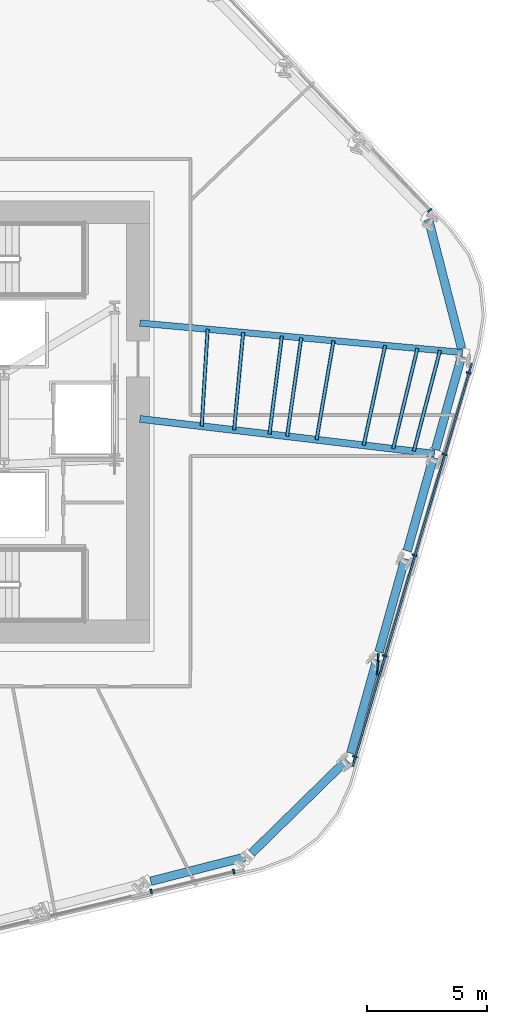
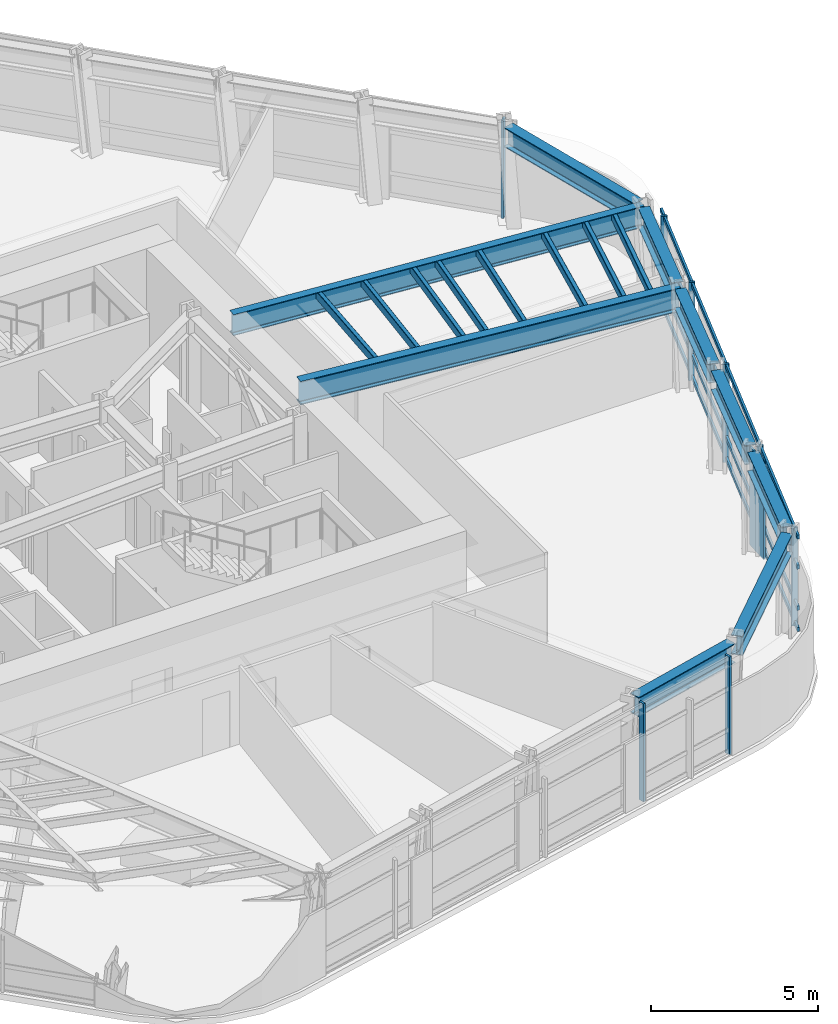
# One storey, part 5 of 17: 21 members, 9 beams, 3 elements without a shape of their own.
"""IFC4 building model written with IfcOpenShell, lengths in metres."""

from ifc_helpers import new_model, si_unit, direction, frame, origin, origin_2d, place, context, subcontext, project, spatial, rectangle, hollow_rectangle, i_section, extrude, material, layer, layer_set, material_profile, profile_set, type_object, element, aggregate, save


model = new_model("IFC4")

# Units and contexts
model_context = context("Model", 3, precision=1e-05, world=origin(), true_north=direction((0.0, 1.0)))
body_context = subcontext(model_context, "Body", "Model", "MODEL_VIEW")
ifc_project = project(units=[si_unit("LENGTHUNIT", "METRE"), si_unit("AREAUNIT", "SQUARE_METRE"), si_unit("VOLUMEUNIT", "CUBIC_METRE"), si_unit("PLANEANGLEUNIT", "RADIAN"), si_unit("MASSUNIT", "GRAM", prefix="KILO")], contexts=[model_context])

# Site, building, storey
site_placement = place(None, origin())
site = spatial("IfcSite", under=ifc_project, at=site_placement, CompositionType="ELEMENT")
building_placement = place(site_placement, origin())
building = spatial("IfcBuilding", under=site, at=building_placement, Name="Valkerne Bourse Tower", CompositionType="ELEMENT")
storey_placement = place(building_placement, frame((0.0, 0.0, 82.0)))
storey = spatial("IfcBuildingStorey", under=building, at=storey_placement, Name="L20", CompositionType="ELEMENT", Elevation=82.0)

# Beams
ifc_material_1 = material(Name="Steel ASTM A992", Category="steel")
ifc_material_profile_1 = material_profile(ifc_material_1, i_section(OverallWidth=0.358154296875, OverallDepth=0.7060546875, WebThickness=0.018310546875, FlangeThickness=0.0302734375, FilletRadius=0.02294921875, at=origin_2d()), Name="W27X178")
ifc_profile_set_1 = profile_set([ifc_material_profile_1], Name="Steel ASTM A992")
beam_type_1 = type_object("IfcBeamType", Name="BM-W27X178", PredefinedType="SPANDREL", material=ifc_profile_set_1)
beam_1_placement = place(storey_placement, frame((56.454345703125, 7.70703125, 3.22705078125), z_axis=(0.968584837782, 0.248683356941, 0.0), x_axis=(-0.248683356941, 0.968584837782, 0.0)))
element("IfcBeam", 1, at=beam_1_placement, inside=storey, type_object=beam_type_1, Name="L20 Hexagonal Spandrel Ring Beam 23", PredefinedType="SPANDREL", context=body_context, shape_type="SweptSolid", body=[
    extrude(i_section(OverallWidth=0.358154296875, OverallDepth=0.7060546875, WebThickness=0.018310546875, FlangeThickness=0.0302734375, FilletRadius=0.02294921875, at=origin_2d()), origin(), (0.0, 0.0, 1.0), 4.042724609375),
])
beam_2_placement = place(storey_placement, frame((60.656494140625, 8.873779296875, 3.22705078125), z_axis=(0.714461076238, 0.699675189313, 0.0), x_axis=(-0.699675189313, 0.714461076238, 0.0)))
element("IfcBeam", 2, at=beam_2_placement, inside=storey, type_object=beam_type_1, Name="L20 Hexagonal Spandrel Ring Beam 24", PredefinedType="SPANDREL", context=body_context, shape_type="SweptSolid", body=[
    extrude(i_section(OverallWidth=0.358154296875, OverallDepth=0.7060546875, WebThickness=0.018310546875, FlangeThickness=0.0302734375, FilletRadius=0.02294921875, at=origin_2d()), origin(), (0.0, 0.0, 1.0), 5.564453125),
])
for number, where, z_axis, x_axis, name in (
    (3, (64.79931640625, 13.0498046875, 3.22705078125), (0.268901893303, 0.963167572013, 0.0), (-0.963167572013, 0.268901893303, 0.0), "L20 Hexagonal Spandrel Ring Beam 25"),
    (4, (65.977783203125, 17.271240234375, 3.22705078125), (0.268957912166, 0.963151930634, 0.0), (-0.963151930634, 0.268957912166, 0.0), "L20 Hexagonal Spandrel Ring Beam 26"),
    (5, (67.156494140625, 21.492919921875, 3.22705078125), (0.268957912166, 0.963151930634, 0.0), (-0.963151930634, 0.268957912166, 0.0), "L20 Hexagonal Spandrel Ring Beam 27"),
    (6, (68.335205078125, 25.71435546875, 3.22705078125), (0.268957912166, 0.963151930634, 0.0), (-0.963151930634, 0.268957912166, 0.0), "L20 Hexagonal Spandrel Ring Beam 28"),
):
    element("IfcBeam", number, at=place(storey_placement, frame(where, z_axis=z_axis, x_axis=x_axis)), inside=storey, type_object=beam_type_1, Name=name, PredefinedType="SPANDREL", context=body_context, shape_type="SweptSolid", body=[
        extrude(i_section(OverallWidth=0.358154296875, OverallDepth=0.7060546875, WebThickness=0.018310546875, FlangeThickness=0.0302734375, FilletRadius=0.02294921875, at=origin_2d()), origin(), (0.0, 0.0, 1.0), 4.04296875),
    ])
beam_3_placement = place(storey_placement, frame((69.426025390625, 29.93701171875, 3.22705078125), z_axis=(-0.248735303645, 0.968571499023, 0.0), x_axis=(-0.968571499023, -0.248735303645, 0.0)))
element("IfcBeam", 7, at=beam_3_placement, inside=storey, type_object=beam_type_1, Name="L20 Hexagonal Spandrel Ring Beam 29", PredefinedType="SPANDREL", context=body_context, shape_type="SweptSolid", body=[
    extrude(i_section(OverallWidth=0.358154296875, OverallDepth=0.7060546875, WebThickness=0.018310546875, FlangeThickness=0.0302734375, FilletRadius=0.02294921875, at=origin_2d()), origin(), (0.0, 0.0, 1.0), 5.564208984375),
])
ifc_material_profile_2 = material_profile(ifc_material_1, i_section(OverallWidth=0.26806640625, OverallDepth=0.76953125, WebThickness=0.015625, FlangeThickness=0.025390625, FilletRadius=0.025390625, at=origin_2d()), Name="W30X132")
ifc_profile_set_2 = profile_set([ifc_material_profile_2], Name="Steel ASTM A992")
beam_type_2 = type_object("IfcBeamType", Name="BM-W30X132", PredefinedType="BEAM", material=ifc_profile_set_2)
beam_4_placement = place(storey_placement, frame((69.46826171875, 29.772216796875, 3.1953125), z_axis=(-0.995870536032, 0.090784775509, 0.0), x_axis=(-0.090784775509, -0.995870536032, 0.0)))
element("IfcBeam", 8, at=beam_4_placement, inside=storey, type_object=beam_type_2, Name="L20 Radial Composite Floor Beam 29", PredefinedType="BEAM", context=body_context, shape_type="SweptSolid", body=[
    extrude(i_section(OverallWidth=0.26806640625, OverallDepth=0.76953125, WebThickness=0.015625, FlangeThickness=0.025390625, FilletRadius=0.025390625, at=origin_2d()), origin(), (0.0, 0.0, 1.0), 13.524169921875),
])
ifc_material_profile_3 = material_profile(ifc_material_1, i_section(OverallWidth=0.2919921875, OverallDepth=0.8583984375, WebThickness=0.01708984375, FlangeThickness=0.031005859375, FilletRadius=0.025390625, at=origin_2d()), Name="W33X169")
ifc_profile_set_3 = profile_set([ifc_material_profile_3], Name="Steel ASTM A992")
beam_type_3 = type_object("IfcBeamType", Name="BM-W33X169", PredefinedType="BEAM", material=ifc_profile_set_3)
beam_5_placement = place(storey_placement, frame((68.28955078125, 25.550537109375, 3.15087890625), z_axis=(-0.993116490921, 0.117130847602, 0.0), x_axis=(-0.117130847602, -0.993116490921, 0.0)))
element("IfcBeam", 9, at=beam_5_placement, inside=storey, type_object=beam_type_3, Name="L20 Radial Composite Floor Beam 28", PredefinedType="BEAM", context=body_context, shape_type="SweptSolid", body=[
    extrude(i_section(OverallWidth=0.2919921875, OverallDepth=0.8583984375, WebThickness=0.01708984375, FlangeThickness=0.031005859375, FilletRadius=0.025390625, at=origin_2d()), origin(), (0.0, 0.0, 1.0), 12.374755859375),
])

# Curtain wall, member
ifc_material_2 = material(Name="Aluminium AA 6063-T6", Category="aluminium")
ifc_layer = layer(ifc_material_2, 0.22998046875)
ifc_layer_set = layer_set([ifc_layer], Name="Aluminium AA 6063-T6")
curtain_wall_type = type_object("IfcCurtainWallType", Name="CW-02", PredefinedType="NOTDEFINED", material=ifc_layer_set)
curtain_wall_1_placement = place(storey_placement, origin())
curtain_wall_1 = element("IfcCurtainWall", 10, at=curtain_wall_1_placement, inside=storey, type_object=curtain_wall_type, Name="L20 Hexagonal Stick Curtain Wall Face 1", PredefinedType="NOTDEFINED")
ifc_material_profile_4 = material_profile(ifc_material_2, rectangle(XDim=0.074951171875, YDim=0.199951171875, at=origin_2d()), Name="CWM-75X200")
ifc_profile_set_4 = profile_set([ifc_material_profile_4], Name="Aluminium AA 6063-T6")
member_type_1 = type_object("IfcMemberType", Name="CW-MUL-220X75", PredefinedType="MULLION", material=ifc_profile_set_4)
member_1_placement = place(storey_placement, frame((68.088134765625, 35.69580078125, 0.0), z_axis=(0.0, 0.0, 1.0), x_axis=(-0.6883614127, 0.725367882874, 0.0)))
member_1 = element("IfcMember", 11, at=member_1_placement, type_object=member_type_1, Name="CW-L20-F1 Jamb Mullion 00A", PredefinedType="MULLION", context=body_context, shape_type="SweptSolid", body=[
    extrude(rectangle(XDim=0.074951171875, YDim=0.199951171875, at=origin_2d()), origin(), (0.0, 0.0, 1.0), 3.580078125),
])
aggregate(curtain_wall_1, [member_1])

# Curtain wall, members
curtain_wall_2_placement = place(storey_placement, origin())
curtain_wall_2 = element("IfcCurtainWall", 12, at=curtain_wall_2_placement, inside=storey, type_object=curtain_wall_type, Name="L20 Hexagonal Stick Curtain Wall Face 5", PredefinedType="NOTDEFINED")
member_2_placement = place(storey_placement, frame((56.472412109375, 7.285400390625, 0.0), z_axis=(0.0, 0.0, 1.0), x_axis=(0.972369488641, 0.233447162244, 0.0)))
member_2 = element("IfcMember", 13, at=member_2_placement, type_object=member_type_1, Name="CW-L20-F5 Jamb Mullion 03A", PredefinedType="MULLION", context=body_context, shape_type="SweptSolid", body=[
    extrude(rectangle(XDim=0.074951171875, YDim=0.199951171875, at=origin_2d()), origin(), (0.0, 0.0, 1.0), 3.580078125),
])
member_3_placement = place(storey_placement, frame((59.91748046875, 8.112548828125, 0.0), z_axis=(0.0, 0.0, 1.0), x_axis=(0.972369488641, 0.233447162244, 0.0)))
member_3 = element("IfcMember", 14, at=member_3_placement, type_object=member_type_1, Name="CW-L20-F5 Jamb Mullion 03B", PredefinedType="MULLION", context=body_context, shape_type="SweptSolid", body=[
    extrude(rectangle(XDim=0.074951171875, YDim=0.199951171875, at=origin_2d()), origin(), (0.0, 0.0, 1.0), 3.580078125),
])
aggregate(curtain_wall_2, [member_2, member_3])

curtain_wall_3_placement = place(storey_placement, origin())
curtain_wall_3 = element("IfcCurtainWall", 15, at=curtain_wall_3_placement, inside=storey, type_object=curtain_wall_type, Name="L20 Hexagonal Stick Curtain Wall Face 6", PredefinedType="NOTDEFINED")
member_4_placement = place(storey_placement, frame((64.974853515625, 12.911865234375, 0.0), z_axis=(0.0, 0.0, 1.0), x_axis=(0.284028514325, 0.95881583375, 0.0)))
member_4 = element("IfcMember", 16, at=member_4_placement, type_object=member_type_1, Name="CW-L20-F6 Jamb Mullion 00A", PredefinedType="MULLION", context=body_context, shape_type="SweptSolid", body=[
    extrude(rectangle(XDim=0.074951171875, YDim=0.199951171875, at=origin_2d()), origin(), (0.0, 0.0, 1.0), 3.580078125),
])
member_5_placement = place(storey_placement, frame((66.2197265625, 17.114501953125, 0.0), z_axis=(0.0, 0.0, 1.0), x_axis=(0.28400753931, 0.958822046897, 0.0)))
member_5 = element("IfcMember", 17, at=member_5_placement, type_object=member_type_1, Name="CW-L20-F6 Jamb Mullion 01A", PredefinedType="MULLION", context=body_context, shape_type="SweptSolid", body=[
    extrude(rectangle(XDim=0.074951171875, YDim=0.199951171875, at=origin_2d()), origin(), (0.0, 0.0, 1.0), 3.580078125),
])
member_6_placement = place(storey_placement, frame((67.464599609375, 21.31689453125, 0.0), z_axis=(0.0, 0.0, 1.0), x_axis=(0.284028514325, 0.95881583375, 0.0)))
member_6 = element("IfcMember", 18, at=member_6_placement, type_object=member_type_1, Name="CW-L20-F6 Jamb Mullion 02A", PredefinedType="MULLION", context=body_context, shape_type="SweptSolid", body=[
    extrude(rectangle(XDim=0.074951171875, YDim=0.199951171875, at=origin_2d()), origin(), (0.0, 0.0, 1.0), 3.580078125),
])
member_7_placement = place(storey_placement, frame((68.70947265625, 25.519287109375, 0.0), z_axis=(0.0, 0.0, 1.0), x_axis=(0.28400753931, 0.958822046897, 0.0)))
member_7 = element("IfcMember", 19, at=member_7_placement, type_object=member_type_1, Name="CW-L20-F6 Jamb Mullion 03A", PredefinedType="MULLION", context=body_context, shape_type="SweptSolid", body=[
    extrude(rectangle(XDim=0.074951171875, YDim=0.199951171875, at=origin_2d()), origin(), (0.0, 0.0, 1.0), 3.580078125),
])
member_8_placement = place(storey_placement, frame((69.7158203125, 28.91650390625, 0.0), z_axis=(0.0, 0.0, 1.0), x_axis=(0.28400753931, 0.958822046897, 0.0)))
member_8 = element("IfcMember", 20, at=member_8_placement, type_object=member_type_1, Name="CW-L20-F6 Jamb Mullion 03B", PredefinedType="MULLION", context=body_context, shape_type="SweptSolid", body=[
    extrude(rectangle(XDim=0.074951171875, YDim=0.199951171875, at=origin_2d()), origin(), (0.0, 0.0, 1.0), 3.580078125),
])
ifc_material_profile_5 = material_profile(ifc_material_2, rectangle(XDim=0.074951171875, YDim=0.14990234375, at=origin_2d()), Name="CWT-75X150")
ifc_profile_set_5 = profile_set([ifc_material_profile_5], Name="Aluminium AA 6063-T6")
member_type_2 = type_object("IfcMemberType", Name="CW-TRN-180X65", PredefinedType="USERDEFINED", material=ifc_profile_set_5)
member_9_placement = place(storey_placement, frame((64.874755859375, 12.503662109375, 0.1201171875), z_axis=(0.284021950804, 0.958817778027, 0.0), x_axis=(-0.958817778027, 0.284021950804, 0.0)))
member_9 = element("IfcMember", 21, at=member_9_placement, type_object=member_type_2, Name="CW-L20-F6 Continuous Face Transom 1", ObjectType="TRANSOM", PredefinedType="USERDEFINED", context=body_context, shape_type="SweptSolid", body=[
    extrude(rectangle(XDim=0.074951171875, YDim=0.14990234375, at=origin_2d()), origin(), (0.0, 0.0, 1.0), 17.531982421875),
])
member_10_placement = place(storey_placement, frame((64.874755859375, 12.503662109375, 0.89990234375), z_axis=(0.284021950804, 0.958817778027, 0.0), x_axis=(-0.958817778027, 0.284021950804, 0.0)))
member_10 = element("IfcMember", 22, at=member_10_placement, type_object=member_type_2, Name="CW-L20-F6 Continuous Face Transom 2", ObjectType="TRANSOM", PredefinedType="USERDEFINED", context=body_context, shape_type="SweptSolid", body=[
    extrude(rectangle(XDim=0.074951171875, YDim=0.14990234375, at=origin_2d()), origin(), (0.0, 0.0, 1.0), 17.531982421875),
])
member_11_placement = place(storey_placement, frame((64.874755859375, 12.503662109375, 2.39990234375), z_axis=(0.284021950804, 0.958817778027, 0.0), x_axis=(-0.958817778027, 0.284021950804, 0.0)))
member_11 = element("IfcMember", 23, at=member_11_placement, type_object=member_type_2, Name="CW-L20-F6 Continuous Face Transom 3", ObjectType="TRANSOM", PredefinedType="USERDEFINED", context=body_context, shape_type="SweptSolid", body=[
    extrude(rectangle(XDim=0.074951171875, YDim=0.14990234375, at=origin_2d()), origin(), (0.0, 0.0, 1.0), 17.531982421875),
])
member_12_placement = place(storey_placement, frame((64.874755859375, 12.503662109375, 3.5), z_axis=(0.284021950804, 0.958817778027, 0.0), x_axis=(-0.958817778027, 0.284021950804, 0.0)))
member_12 = element("IfcMember", 24, at=member_12_placement, type_object=member_type_2, Name="CW-L20-F6 Continuous Face Transom 4", ObjectType="TRANSOM", PredefinedType="USERDEFINED", context=body_context, shape_type="SweptSolid", body=[
    extrude(rectangle(XDim=0.074951171875, YDim=0.14990234375, at=origin_2d()), origin(), (0.0, 0.0, 1.0), 17.531982421875),
])
aggregate(curtain_wall_3, [member_9, member_10, member_11, member_12, member_4, member_5, member_6, member_7, member_8])

# Members
ifc_material_3 = material(Name="Bronze Anodised Aluminium AA 6063-T6", Category="aluminium")
ifc_material_profile_6 = material_profile(ifc_material_3, rectangle(XDim=0.070068359375, YDim=0.89990234375, at=origin_2d()), Name="FIN-70X900")
ifc_profile_set_6 = profile_set([ifc_material_profile_6], Name="Bronze Anodised Aluminium AA 6063-T6")
member_type_3 = type_object("IfcMemberType", Name="FIN-SOLAR-900", PredefinedType="USERDEFINED", material=ifc_profile_set_6)
member_13_placement = place(storey_placement, frame((65.927978515625, 16.762939453125, 0.00390625), z_axis=(0.0, 0.0, 1.0), x_axis=(0.998731354468, -0.050355551858, 0.0)))
element("IfcMember", 25, at=member_13_placement, inside=storey, type_object=member_type_3, Name="L20 Bronze Anodised Solar Fin F6-01", ObjectType="SOLAR_FIN", PredefinedType="USERDEFINED", context=body_context, shape_type="SweptSolid", body=[
    extrude(rectangle(XDim=0.070068359375, YDim=0.89990234375, at=origin_2d()), origin(), (0.0, 0.0, 1.0), 3.572021484375),
])
ifc_material_4 = material(Name="Steel ASTM A500 Grade C", Category="steel")
ifc_material_profile_7 = material_profile(ifc_material_4, hollow_rectangle(XDim=0.14990234375, YDim=0.300048828125, WallThickness=0.012451171875, OuterFilletRadius=0.02490234375, at=origin_2d()), Name="HSS300X150X12.5")
ifc_profile_set_7 = profile_set([ifc_material_profile_7], Name="Steel ASTM A500 Grade C")
member_type_4 = type_object("IfcMemberType", Name="MBR-HSS300X150X12.5", PredefinedType="PURLIN", material=ifc_profile_set_7)
member_14_placement = place(storey_placement, frame((59.9326171875, 26.5361328125, 3.419921875), z_axis=(0.092258513458, 0.995735088613, 0.0), x_axis=(-0.995735088613, 0.092258513458, 0.0)))
element("IfcMember", 26, at=member_14_placement, inside=storey, type_object=member_type_4, Name="L20 Secondary Composite Floor Purlin I-28", PredefinedType="PURLIN", context=body_context, shape_type="SweptSolid", body=[
    extrude(hollow_rectangle(XDim=0.14990234375, YDim=0.300048828125, WallThickness=0.012451171875, OuterFilletRadius=0.02490234375, at=origin_2d()), origin(), (0.0, 0.0, 1.0), 4.08837890625),
])
member_15_placement = place(storey_placement, frame((61.407470703125, 26.3623046875, 3.419921875), z_axis=(0.125555146726, 0.992086641948, 0.0), x_axis=(-0.992086641948, 0.125555146726, 0.0)))
element("IfcMember", 27, at=member_15_placement, inside=storey, type_object=member_type_4, Name="L20 Secondary Composite Floor Purlin K-28", PredefinedType="PURLIN", context=body_context, shape_type="SweptSolid", body=[
    extrude(hollow_rectangle(XDim=0.14990234375, YDim=0.300048828125, WallThickness=0.012451171875, OuterFilletRadius=0.02490234375, at=origin_2d()), origin(), (0.0, 0.0, 1.0), 4.130126953125),
])
member_16_placement = place(storey_placement, frame((62.144775390625, 26.275390625, 3.419921875), z_axis=(0.141923420073, 0.989877640335, 0.0), x_axis=(-0.989877640335, 0.141923420073, 0.0)))
element("IfcMember", 28, at=member_16_placement, inside=storey, type_object=member_type_4, Name="L20 Secondary Composite Floor Purlin M-28", PredefinedType="PURLIN", context=body_context, shape_type="SweptSolid", body=[
    extrude(hollow_rectangle(XDim=0.14990234375, YDim=0.300048828125, WallThickness=0.012451171875, OuterFilletRadius=0.02490234375, at=origin_2d()), origin(), (0.0, 0.0, 1.0), 4.152587890625),
])
member_17_placement = place(storey_placement, frame((65.340087890625, 25.8984375, 3.419921875), z_axis=(0.210092171225, 0.977681583947, 0.0), x_axis=(-0.977681583947, 0.210092171225, 0.0)))
element("IfcMember", 29, at=member_17_placement, inside=storey, type_object=member_type_4, Name="L20 Secondary Composite Floor Purlin O-28", PredefinedType="PURLIN", context=body_context, shape_type="SweptSolid", body=[
    extrude(hollow_rectangle(XDim=0.14990234375, YDim=0.300048828125, WallThickness=0.012451171875, OuterFilletRadius=0.02490234375, at=origin_2d()), origin(), (0.0, 0.0, 1.0), 4.263671875),
])
member_18_placement = place(storey_placement, frame((63.373779296875, 26.13037109375, 3.419921875), z_axis=(0.168684216137, 0.985670145244, 0.0), x_axis=(-0.985670145244, 0.168684216137, 0.0)))
element("IfcMember", 30, at=member_18_placement, inside=storey, type_object=member_type_4, Name="L20 Secondary Composite Floor Purlin Z-28", PredefinedType="PURLIN", context=body_context, shape_type="SweptSolid", body=[
    extrude(hollow_rectangle(XDim=0.14990234375, YDim=0.300048828125, WallThickness=0.012451171875, OuterFilletRadius=0.02490234375, at=origin_2d()), origin(), (0.0, 0.0, 1.0), 4.19287109375),
])
member_19_placement = place(storey_placement, frame((58.580810546875, 26.695556640625, 3.419921875), z_axis=(0.061062312598, 0.99813395593, 0.0), x_axis=(-0.99813395593, 0.061062312598, 0.0)))
element("IfcMember", 31, at=member_19_placement, inside=storey, type_object=member_type_4, Name="L20 Secondary Composite Floor Purlin S-28", PredefinedType="PURLIN", context=body_context, shape_type="SweptSolid", body=[
    extrude(hollow_rectangle(XDim=0.14990234375, YDim=0.300048828125, WallThickness=0.012451171875, OuterFilletRadius=0.02490234375, at=origin_2d()), origin(), (0.0, 0.0, 1.0), 4.05419921875),
])
member_20_placement = place(storey_placement, frame((66.569091796875, 25.75341796875, 3.419921875), z_axis=(0.235107312991, 0.971969418952, 0.0), x_axis=(-0.971969418952, 0.235107312991, 0.0)))
element("IfcMember", 32, at=member_20_placement, inside=storey, type_object=member_type_4, Name="L20 Secondary Composite Floor Purlin T-28", PredefinedType="PURLIN", context=body_context, shape_type="SweptSolid", body=[
    extrude(hollow_rectangle(XDim=0.14990234375, YDim=0.300048828125, WallThickness=0.012451171875, OuterFilletRadius=0.02490234375, at=origin_2d()), origin(), (0.0, 0.0, 1.0), 4.3115234375),
])
member_21_placement = place(storey_placement, frame((67.42919921875, 25.652099609375, 3.419921875), z_axis=(0.25219781175, 0.967675701745, 0.0), x_axis=(-0.967675701745, 0.25219781175, 0.0)))
element("IfcMember", 33, at=member_21_placement, inside=storey, type_object=member_type_4, Name="L20 Secondary Composite Floor Purlin U-28", PredefinedType="PURLIN", context=body_context, shape_type="SweptSolid", body=[
    extrude(hollow_rectangle(XDim=0.14990234375, YDim=0.300048828125, WallThickness=0.012451171875, OuterFilletRadius=0.02490234375, at=origin_2d()), origin(), (0.0, 0.0, 1.0), 4.346435546875),
])

save(model, "model.ifc")
